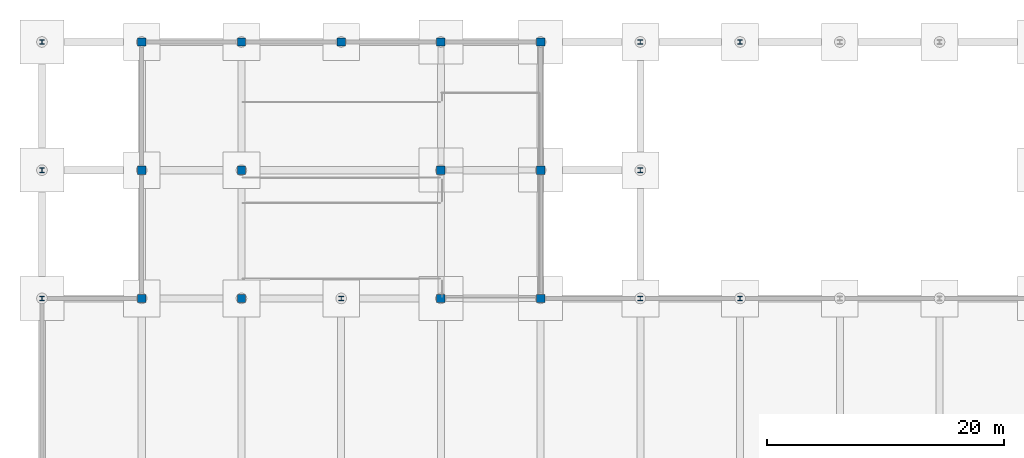
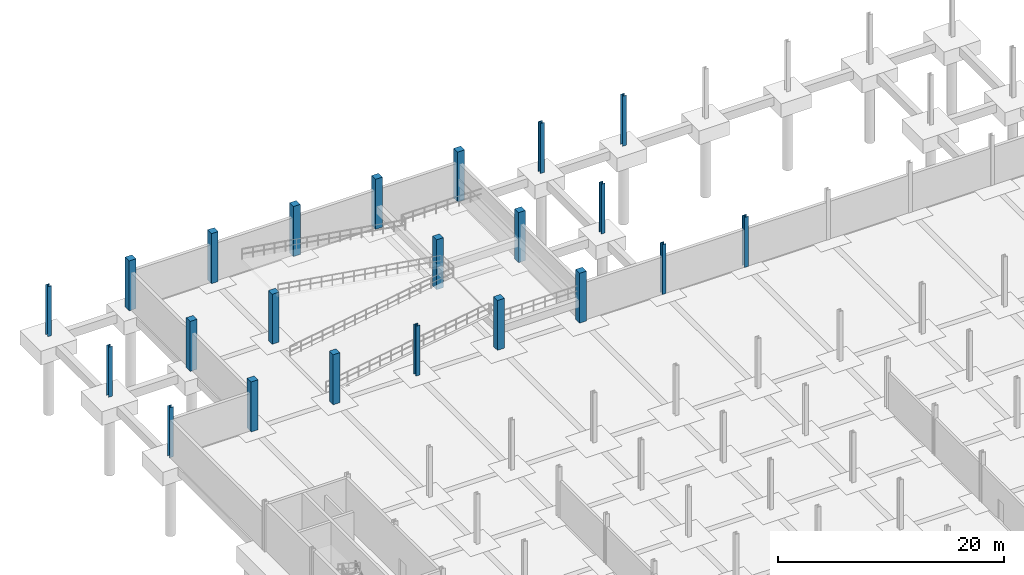
# One storey, part 13 of 36: 22 columns.
"""IFC4 building model written with IfcOpenShell, lengths in metres."""

from ifc_helpers import new_model, si_unit, direction, frame, origin, origin_2d, place, context, subcontext, project, spatial, rectangle, i_section, extrude, material, material_profile, profile_set, type_object, element, save


model = new_model("IFC4")

# Units and contexts
model_context = context("Model", 3, precision=1e-05, world=origin(), true_north=direction((0.0, 1.0)))
body_context = subcontext(model_context, "Body", "Model", "MODEL_VIEW")
ifc_project = project(units=[si_unit("LENGTHUNIT", "METRE"), si_unit("AREAUNIT", "SQUARE_METRE"), si_unit("VOLUMEUNIT", "CUBIC_METRE"), si_unit("PLANEANGLEUNIT", "RADIAN"), si_unit("MASSUNIT", "GRAM", prefix="KILO"), si_unit("THERMODYNAMICTEMPERATUREUNIT", "KELVIN"), si_unit("POWERUNIT", "WATT")], contexts=[model_context])

# Site, building, storey
site_placement = place(None, origin())
site = spatial("IfcSite", under=ifc_project, at=site_placement, CompositionType="ELEMENT")
building_placement = place(site_placement, origin())
building = spatial("IfcBuilding", under=site, at=building_placement, Name="Tembeka Court Mobility Hub", CompositionType="ELEMENT")
storey_placement = place(building_placement, frame((0.0, 0.0, -5.39990234375)))
storey = spatial("IfcBuildingStorey", under=building, at=storey_placement, Name="B1", CompositionType="ELEMENT", Elevation=-5.39990234375)

# Columns
ifc_material_1 = material(Name="Steel S355", Category="steel")
ifc_material_profile_1 = material_profile(ifc_material_1, i_section(OverallWidth=0.39892578125, OverallDepth=0.39404296875, WebThickness=0.022705078125, FlangeThickness=0.03662109375, FilletRadius=0.01513671875, at=origin_2d()), Name="UKC 356x406x287")
ifc_profile_set_1 = profile_set([ifc_material_profile_1], Name="Steel S355")
column_type_1 = type_object("IfcColumnType", Name="COL-C01", PredefinedType="COLUMN", material=ifc_profile_set_1)
for number, where, z_axis, x_axis, name in (
    (1, (0.0, 97.199951171875, 0.0), (0.0, 0.0, 1.0), (1.0, 0.0, 0.0), "Column C01 (B1-010)"),
    (2, (0.0, 108.0, 0.0), (0.0, 0.0, 1.0), (1.0, 0.0, 0.0), "Column C01 (B1-011)"),
    (3, (0.0, 118.800048828125, 0.0), (0.0, 0.0, 1.0), (1.0, 0.0, 0.0), "Column C01 (B1-012)"),
    (4, (25.199951171875, 97.199951171875, 0.0), (0.0, 0.0, 1.0), (1.0, 0.0, 0.0), "Column C01 (B1-045)"),
    (5, (50.39990234375, 97.199951171875, 0.0), (0.0, 0.0, 1.0), (1.0, 0.0, 0.0), "Column C01 (B1-080)"),
    (6, (50.39990234375, 108.0, 0.0), (0.0, 0.0, 1.0), (1.0, 0.0, 0.0), "Column C01 (B1-081)"),
    (7, (50.39990234375, 118.800048828125, 0.0), (0.0, 0.0, 1.0), (1.0, 0.0, 0.0), "Column C01 (B1-082)"),
    (8, (58.800048828125, 97.199951171875, 0.0), (0.0, 0.0, 1.0), (1.0, 0.0, 0.0), "Column C01 (B1-091)"),
    (9, (58.800048828125, 118.800048828125, 0.0), (0.0, 0.0, 1.0), (1.0, 0.0, 0.0), "Column C01 (B1-092)"),
):
    element("IfcColumn", number, at=place(storey_placement, frame(where, z_axis=z_axis, x_axis=x_axis)), inside=storey, type_object=column_type_1, Name=name, PredefinedType="COLUMN", context=body_context, shape_type="SweptSolid", body=[
        extrude(i_section(OverallWidth=0.39892578125, OverallDepth=0.39404296875, WebThickness=0.022705078125, FlangeThickness=0.03662109375, FilletRadius=0.01513671875, at=origin_2d()), origin(), (0.0, 0.0, 1.0), 5.39990234375),
    ])
ifc_material_2 = material(Name="Concrete C40/50", Category="concrete")
ifc_material_profile_2 = material_profile(ifc_material_2, rectangle(XDim=0.699951171875, YDim=0.699951171875, at=origin_2d()), Name="RC-COL 700x700")
ifc_profile_set_2 = profile_set([ifc_material_profile_2], Name="Concrete C40/50")
column_type_2 = type_object("IfcColumnType", Name="COL-RC01", PredefinedType="COLUMN", material=ifc_profile_set_2)
for number, where, z_axis, x_axis, name in (
    (10, (8.39990234375, 97.199951171875, 0.0), (0.0, 0.0, 1.0), (1.0, 0.0, 0.0), "Column RC01 (B1-022)"),
    (11, (8.39990234375, 108.0, 0.0), (0.0, 0.0, 1.0), (1.0, 0.0, 0.0), "Column RC01 (B1-023)"),
    (12, (8.39990234375, 118.800048828125, 0.0), (0.0, 0.0, 1.0), (1.0, 0.0, 0.0), "Column RC01 (B1-024)"),
    (13, (16.800048828125, 97.199951171875, 0.0), (0.0, 0.0, 1.0), (1.0, 0.0, 0.0), "Column RC01 (B1-034)"),
    (14, (16.800048828125, 108.0, 0.0), (0.0, 0.0, 1.0), (1.0, 0.0, 0.0), "Column RC01 (B1-035)"),
    (15, (16.800048828125, 118.800048828125, 0.0), (0.0, 0.0, 1.0), (1.0, 0.0, 0.0), "Column RC01 (B1-036)"),
    (16, (25.199951171875, 118.800048828125, 0.0), (0.0, 0.0, 1.0), (1.0, 0.0, 0.0), "Column RC01 (B1-046)"),
    (17, (33.60009765625, 97.199951171875, 0.0), (0.0, 0.0, 1.0), (1.0, 0.0, 0.0), "Column RC01 (B1-056)"),
    (18, (33.60009765625, 108.0, 0.0), (0.0, 0.0, 1.0), (1.0, 0.0, 0.0), "Column RC01 (B1-057)"),
    (19, (33.60009765625, 118.800048828125, 0.0), (0.0, 0.0, 1.0), (1.0, 0.0, 0.0), "Column RC01 (B1-058)"),
    (20, (42.0, 97.199951171875, 0.0), (0.0, 0.0, 1.0), (1.0, 0.0, 0.0), "Column RC01 (B1-068)"),
    (21, (42.0, 108.0, 0.0), (0.0, 0.0, 1.0), (1.0, 0.0, 0.0), "Column RC01 (B1-069)"),
    (22, (42.0, 118.800048828125, 0.0), (0.0, 0.0, 1.0), (1.0, 0.0, 0.0), "Column RC01 (B1-070)"),
):
    element("IfcColumn", number, at=place(storey_placement, frame(where, z_axis=z_axis, x_axis=x_axis)), inside=storey, type_object=column_type_2, Name=name, PredefinedType="COLUMN", context=body_context, shape_type="SweptSolid", body=[
        extrude(rectangle(XDim=0.699951171875, YDim=0.699951171875, at=origin_2d()), origin(), (0.0, 0.0, 1.0), 5.39990234375),
    ])

save(model, "model.ifc")
